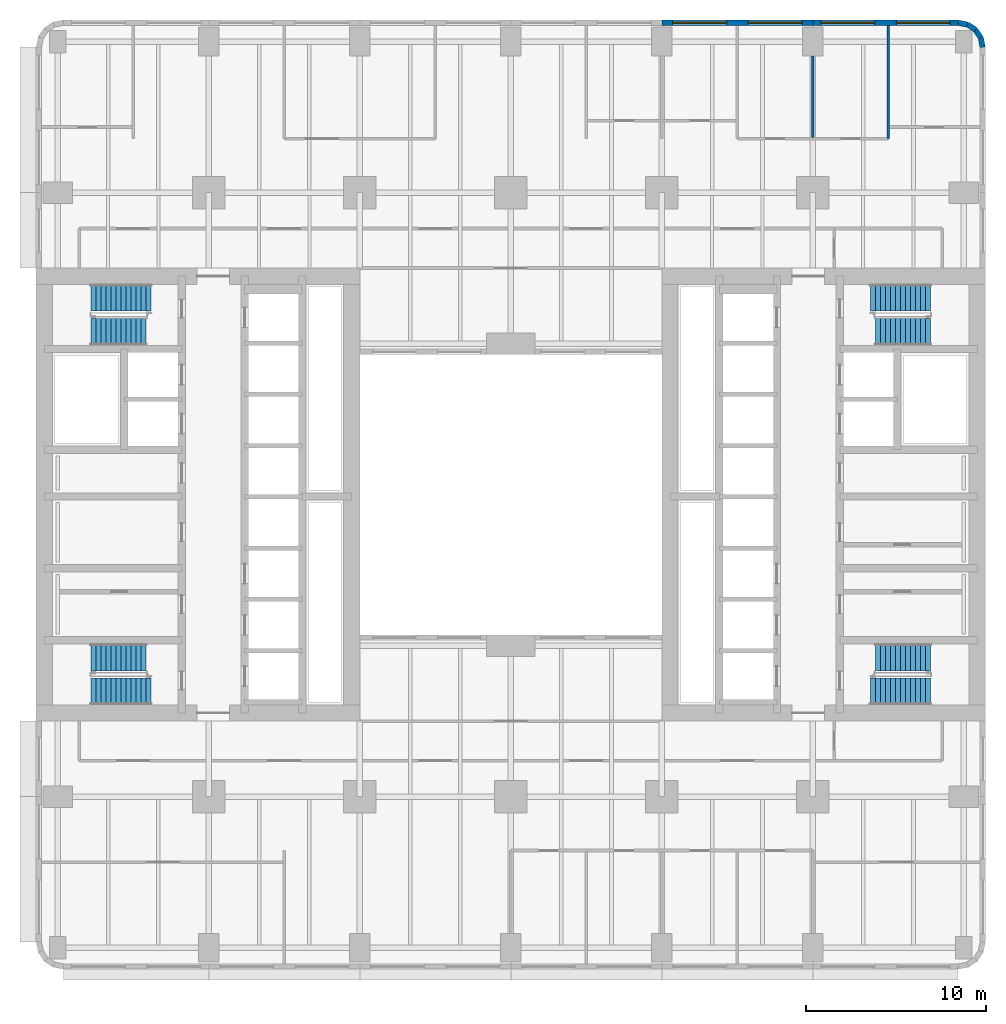
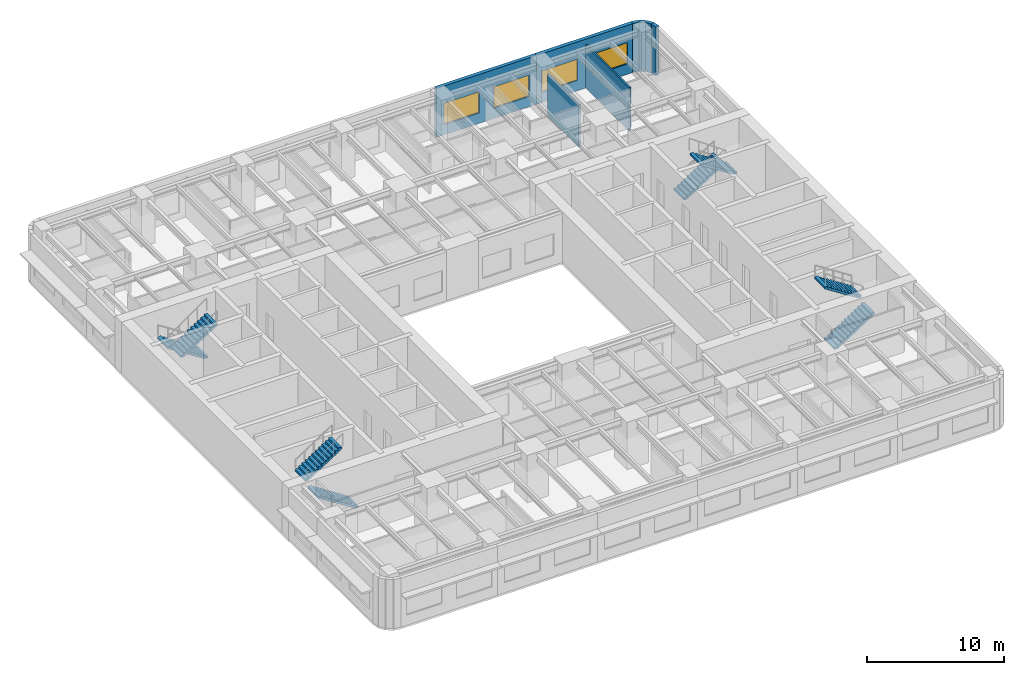
# One storey, part 8 of 14: 8 stair flights, 8 walls, 4 windows, 4 openings, 4 elements without a shape of their own.
"""IFC4 building model written with IfcOpenShell, lengths in metres."""

from ifc_helpers import new_model, si_unit, direction, frame, frame_2d, origin, place, context, subcontext, project, spatial, polyline, rectangle, outline, extrude, material, layer, layer_set, type_object, element, fill, aggregate, save


model = new_model("IFC4")

# Units and contexts
model_context = context("Model", 3, precision=1e-05, world=origin(), true_north=direction((0.0, 1.0)))
body_context = subcontext(model_context, "Body", "Model", "MODEL_VIEW")
ifc_project = project(units=[si_unit("LENGTHUNIT", "METRE"), si_unit("AREAUNIT", "SQUARE_METRE"), si_unit("VOLUMEUNIT", "CUBIC_METRE"), si_unit("PLANEANGLEUNIT", "RADIAN"), si_unit("MASSUNIT", "GRAM", prefix="KILO")], contexts=[model_context])

# Site, building, storey
site_placement = place(None, origin())
site = spatial("IfcSite", under=ifc_project, at=site_placement, CompositionType="ELEMENT")
building_placement = place(site_placement, origin())
building = spatial("IfcBuilding", under=site, at=building_placement, Name="Claustro Exchange Tower", CompositionType="ELEMENT")
storey_placement = place(building_placement, frame((0.0, 0.0, 36.89990234375)))
storey = spatial("IfcBuildingStorey", under=building, at=storey_placement, Name="L08", CompositionType="ELEMENT", Elevation=36.89990234375)

# Walls
ifc_material_1 = material(Name="Gypsum board on steel studs", Category="steel")
ifc_layer_1 = layer(ifc_material_1, 0.14990234375)
ifc_layer_set_1 = layer_set([ifc_layer_1], Name="Gypsum board on steel studs")
wall_type_1 = type_object("IfcWallType", Name="P1 150 plasterboard partition", PredefinedType="PARTITIONING", material=ifc_layer_set_1)
wall_1_placement = place(storey_placement, frame((42.0, 45.073974609375, 0.0), z_axis=(0.0, 0.0, 1.0), x_axis=(0.0, 1.0, 0.0)))
element("IfcWall", 1, at=wall_1_placement, inside=storey, type_object=wall_type_1, Name="Partition P1 L08", PredefinedType="PARTITIONING", context=body_context, shape_type="SweptSolid", body=[
    extrude(rectangle(XDim=4.527099609375, YDim=0.14990234375, at=frame_2d((2.263671875, 0.0))), origin(), (0.0, 0.0, 1.0), 3.739990234375),
])
wall_2_placement = place(storey_placement, frame((46.199951171875, 45.0, 0.0), z_axis=(0.0, 0.0, 1.0), x_axis=(0.0, 1.0, 0.0)))
element("IfcWall", 2, at=wall_2_placement, inside=storey, type_object=wall_type_1, Name="Partition P1 L08", PredefinedType="PARTITIONING", context=body_context, shape_type="SweptSolid", body=[
    extrude(rectangle(XDim=6.302001953125, YDim=0.14990234375, at=frame_2d((3.15087890625, 0.0))), origin(), (0.0, 0.0, 1.0), 3.840087890625),
])

# Wall, openings, windows
ifc_material_2 = material(Name="Concrete HA-40 (C40/50), precast, white cement, acid-etched", Category="concrete")
ifc_layer_2 = layer(ifc_material_2, 0.300048828125)
ifc_layer_set_2 = layer_set([ifc_layer_2], Name="Concrete HA-40 (C40/50), precast, white cement, acid-etched")
wall_type_2 = type_object("IfcWallType", Name="PC1 300 precast concrete pier panel", PredefinedType="SOLIDWALL", material=ifc_layer_set_2)
wall_3_placement = place(storey_placement, frame((33.60009765625, 51.449951171875, 0.0), z_axis=(0.0, 0.0, 1.0), x_axis=(1.0, 0.0, 0.0)))
wall_3 = element("IfcWall", 3, at=wall_3_placement, inside=storey, type_object=wall_type_2, Name="Precast pier panel PC1 L08", PredefinedType="SOLIDWALL", context=body_context, shape_type="SweptSolid", body=[
    extrude(rectangle(XDim=8.39990234375, YDim=0.300048828125, at=frame_2d((4.199951171875, 0.0))), origin(), (0.0, 0.0, 1.0), 4.340087890625),
])
opening_1_placement = place(wall_3_placement, frame((0.60009765625, 0.0, 0.89990234375)))
opening_1 = element("IfcOpeningElement", 4, at=opening_1_placement, cuts=wall_3, Name="Opening W1", PredefinedType="OPENING", context=body_context, shape_type="SweptSolid", body=[
    extrude(rectangle(XDim=3.0, YDim=1.89990234375, at=frame_2d((1.5, 0.949951171875))), frame((0.0, 0.159912109375, 0.0), z_axis=(0.0, -1.0, 0.0), x_axis=(1.0, 0.0, 0.0)), (0.0, 0.0, 1.0), 0.320068359375),
])
opening_2_placement = place(wall_3_placement, frame((4.800048828125, 0.0, 0.89990234375)))
opening_2 = element("IfcOpeningElement", 5, at=opening_2_placement, cuts=wall_3, Name="Opening W1", PredefinedType="OPENING", context=body_context, shape_type="SweptSolid", body=[
    extrude(rectangle(XDim=3.0, YDim=1.89990234375, at=frame_2d((1.5, 0.949951171875))), frame((0.0, 0.159912109375, 0.0), z_axis=(0.0, -1.0, 0.0), x_axis=(1.0, 0.0, 0.0)), (0.0, 0.0, 1.0), 0.320068359375),
])
ifc_material_3 = material(Name="Aluminium frame, clear double glazing", Category="aluminium")
window_type = type_object("IfcWindowType", Name="W1 3000 x 1900 window", PartitioningType="SINGLE_PANEL", PredefinedType="WINDOW", material=ifc_material_3)
window_1_placement = place(opening_1_placement, origin())
window_1 = element("IfcWindow", 6, at=window_1_placement, inside=storey, type_object=window_type, Name="Window W1 L08", OverallHeight=1.89990234375, OverallWidth=3.0, PartitioningType="SINGLE_PANEL", PredefinedType="WINDOW", context=body_context, shape_type="SweptSolid", body=[
    extrude(rectangle(XDim=3.0, YDim=1.89990234375, at=frame_2d((1.5, 0.949951171875))), frame((0.0, 0.030029296875, 0.0), z_axis=(0.0, -1.0, 0.0), x_axis=(1.0, 0.0, 0.0)), (0.0, 0.0, 1.0), 0.06005859375),
])
fill(opening_1, window_1)
window_2_placement = place(opening_2_placement, origin())
window_2 = element("IfcWindow", 7, at=window_2_placement, inside=storey, type_object=window_type, Name="Window W1 L08", OverallHeight=1.89990234375, OverallWidth=3.0, PartitioningType="SINGLE_PANEL", PredefinedType="WINDOW", context=body_context, shape_type="SweptSolid", body=[
    extrude(rectangle(XDim=3.0, YDim=1.89990234375, at=frame_2d((1.5, 0.949951171875))), frame((0.0, 0.030029296875, 0.0), z_axis=(0.0, -1.0, 0.0), x_axis=(1.0, 0.0, 0.0)), (0.0, 0.0, 1.0), 0.06005859375),
])
fill(opening_2, window_2)

wall_4_placement = place(storey_placement, frame((42.0, 51.449951171875, 0.0), z_axis=(0.0, 0.0, 1.0), x_axis=(1.0, 0.0, 0.0)))
wall_4 = element("IfcWall", 8, at=wall_4_placement, inside=storey, type_object=wall_type_2, Name="Precast pier panel PC1 L08", PredefinedType="SOLIDWALL", context=body_context, shape_type="SweptSolid", body=[
    extrude(rectangle(XDim=8.085205078125, YDim=0.300048828125, at=frame_2d((4.04248046875, 0.0))), origin(), (0.0, 0.0, 1.0), 4.340087890625),
])
opening_3_placement = place(wall_4_placement, frame((0.442626953125, 0.0, 0.89990234375)))
opening_3 = element("IfcOpeningElement", 9, at=opening_3_placement, cuts=wall_4, Name="Opening W1", PredefinedType="OPENING", context=body_context, shape_type="SweptSolid", body=[
    extrude(rectangle(XDim=3.0, YDim=1.89990234375, at=frame_2d((1.5, 0.949951171875))), frame((0.0, 0.159912109375, 0.0), z_axis=(0.0, -1.0, 0.0), x_axis=(1.0, 0.0, 0.0)), (0.0, 0.0, 1.0), 0.320068359375),
])
opening_4_placement = place(wall_4_placement, frame((4.642578125, 0.0, 0.89990234375)))
opening_4 = element("IfcOpeningElement", 10, at=opening_4_placement, cuts=wall_4, Name="Opening W1", PredefinedType="OPENING", context=body_context, shape_type="SweptSolid", body=[
    extrude(rectangle(XDim=3.0, YDim=1.89990234375, at=frame_2d((1.5, 0.949951171875))), frame((0.0, 0.159912109375, 0.0), z_axis=(0.0, -1.0, 0.0), x_axis=(1.0, 0.0, 0.0)), (0.0, 0.0, 1.0), 0.320068359375),
])
window_3_placement = place(opening_3_placement, origin())
window_3 = element("IfcWindow", 11, at=window_3_placement, inside=storey, type_object=window_type, Name="Window W1 L08", OverallHeight=1.89990234375, OverallWidth=3.0, PartitioningType="SINGLE_PANEL", PredefinedType="WINDOW", context=body_context, shape_type="SweptSolid", body=[
    extrude(rectangle(XDim=3.0, YDim=1.89990234375, at=frame_2d((1.5, 0.949951171875))), frame((0.0, 0.030029296875, 0.0), z_axis=(0.0, -1.0, 0.0), x_axis=(1.0, 0.0, 0.0)), (0.0, 0.0, 1.0), 0.06005859375),
])
fill(opening_3, window_3)
window_4_placement = place(opening_4_placement, origin())
window_4 = element("IfcWindow", 12, at=window_4_placement, inside=storey, type_object=window_type, Name="Window W1 L08", OverallHeight=1.89990234375, OverallWidth=3.0, PartitioningType="SINGLE_PANEL", PredefinedType="WINDOW", context=body_context, shape_type="SweptSolid", body=[
    extrude(rectangle(XDim=3.0, YDim=1.89990234375, at=frame_2d((1.5, 0.949951171875))), frame((0.0, 0.030029296875, 0.0), z_axis=(0.0, -1.0, 0.0), x_axis=(1.0, 0.0, 0.0)), (0.0, 0.0, 1.0), 0.06005859375),
])
fill(opening_4, window_4)

# Walls
wall_5_placement = place(storey_placement, frame((50.085205078125, 51.449951171875, 0.0), z_axis=(0.0, 0.0, 1.0), x_axis=(0.980788534345, -0.195073962632, 0.0)))
element("IfcWall", 13, at=wall_5_placement, inside=storey, type_object=wall_type_2, Name="Precast pier panel PC1 L08", PredefinedType="SOLIDWALL", context=body_context, shape_type="SweptSolid", body=[
    extrude(rectangle(XDim=0.540771484375, YDim=0.300048828125, at=frame_2d((0.2705078125, 0.0))), origin(), (0.0, 0.0, 1.0), 4.340087890625),
])
for number, where, z_axis, x_axis, name in (
    (14, (50.615478515625, 51.344482421875, 0.0), (0.0, 0.0, 1.0), (0.831478144188, -0.555557463938, 0.0), "Precast pier panel PC1 L08"),
    (15, (51.052490234375, 51.052490234375, 0.0), (0.0, 0.0, 1.0), (0.555557463938, -0.831478144188, 0.0), "Precast pier panel PC1 L08"),
):
    element("IfcWall", number, at=place(storey_placement, frame(where, z_axis=z_axis, x_axis=x_axis)), inside=storey, type_object=wall_type_2, Name=name, PredefinedType="SOLIDWALL", context=body_context, shape_type="SweptSolid", body=[
        extrude(rectangle(XDim=0.525634765625, YDim=0.300048828125, at=frame_2d((0.2626953125, 0.0))), origin(), (0.0, 0.0, 1.0), 4.340087890625),
    ])
wall_6_placement = place(storey_placement, frame((51.344482421875, 50.615478515625, 0.0), z_axis=(0.0, 0.0, 1.0), x_axis=(0.195073962632, -0.980788534345, 0.0)))
element("IfcWall", 16, at=wall_6_placement, inside=storey, type_object=wall_type_2, Name="Precast pier panel PC1 L08", PredefinedType="SOLIDWALL", context=body_context, shape_type="SweptSolid", body=[
    extrude(rectangle(XDim=0.540771484375, YDim=0.300048828125, at=frame_2d((0.2705078125, 0.0))), origin(), (0.0, 0.0, 1.0), 4.340087890625),
])

# Stair, stair flight
ifc_material_4 = material(Name="Concrete HA-30 (C30/37), precast", Category="concrete")
stair_type = type_object("IfcStairType", Name="ST2 half-turn stair, 25 risers of 180", PredefinedType="HALF_TURN_STAIR", material=ifc_material_4)
stair_1_placement = place(storey_placement, origin())
stair_1 = element("IfcStair", 17, at=stair_1_placement, inside=storey, type_object=stair_type, Name="Stair STWA L08", PredefinedType="HALF_TURN_STAIR")
ifc_material_5 = material(Name="Concrete HA-30 (C30/37), precast", Category="concrete")
stair_flight_type_1 = type_object("IfcStairFlightType", Name="SF12B straight flight, 12 risers of 180, 1500 wide", PredefinedType="STRAIGHT", material=ifc_material_5)
stair_flight_1_placement = place(storey_placement, frame((1.840087890625, 16.14990234375, 2.340087890625), z_axis=(0.0, 0.0, 1.0), x_axis=(1.0, 0.0, 0.0)))
stair_flight_1 = element("IfcStairFlight", 18, at=stair_flight_1_placement, type_object=stair_flight_type_1, Name="STWA flight 2", NumberOfRisers=12, NumberOfTreads=11, PredefinedType="STRAIGHT", RiserHeight=0.18, TreadLength=0.28, context=body_context, shape_type="SweptSolid", body=[
    extrude(outline(polyline([(0.0, 0.0), (0.0, 0.179931640625), (0.280029296875, 0.179931640625), (0.280029296875, 0.360107421875), (0.56005859375, 0.360107421875), (0.56005859375, 0.5400390625), (0.840087890625, 0.5400390625), (0.840087890625, 0.719970703125), (1.1201171875, 0.719970703125), (1.1201171875, 0.89990234375), (1.39990234375, 0.89990234375), (1.39990234375, 1.080078125), (1.679931640625, 1.080078125), (1.679931640625, 1.260009765625), (1.9599609375, 1.260009765625), (1.9599609375, 1.43994140625), (2.239990234375, 1.43994140625), (2.239990234375, 1.6201171875), (2.52001953125, 1.6201171875), (2.52001953125, 1.800048828125), (2.800048828125, 1.800048828125), (2.800048828125, 1.97998046875), (3.080078125, 1.97998046875), (3.080078125, 2.159912109375), (3.080078125, 1.8017578125), (0.277099609375, 0.0), (0.0, 0.0)])), frame((0.0, 0.75, 0.0), z_axis=(0.0, -1.0, 0.0), x_axis=(1.0, 0.0, 0.0)), (0.0, 0.0, 1.0), 1.5),
])

stair_2_placement = place(storey_placement, origin())
stair_2 = element("IfcStair", 19, at=stair_2_placement, inside=storey, type_object=stair_type, Name="Stair STWB L08", PredefinedType="HALF_TURN_STAIR")
stair_flight_2_placement = place(storey_placement, frame((1.840087890625, 34.25, 2.340087890625), z_axis=(0.0, 0.0, 1.0), x_axis=(1.0, 0.0, 0.0)))
stair_flight_2 = element("IfcStairFlight", 20, at=stair_flight_2_placement, type_object=stair_flight_type_1, Name="STWB flight 2", NumberOfRisers=12, NumberOfTreads=11, PredefinedType="STRAIGHT", RiserHeight=0.18, TreadLength=0.28, context=body_context, shape_type="SweptSolid", body=[
    extrude(outline(polyline([(0.0, 0.0), (0.0, 0.179931640625), (0.280029296875, 0.179931640625), (0.280029296875, 0.360107421875), (0.56005859375, 0.360107421875), (0.56005859375, 0.5400390625), (0.840087890625, 0.5400390625), (0.840087890625, 0.719970703125), (1.1201171875, 0.719970703125), (1.1201171875, 0.89990234375), (1.39990234375, 0.89990234375), (1.39990234375, 1.080078125), (1.679931640625, 1.080078125), (1.679931640625, 1.260009765625), (1.9599609375, 1.260009765625), (1.9599609375, 1.43994140625), (2.239990234375, 1.43994140625), (2.239990234375, 1.6201171875), (2.52001953125, 1.6201171875), (2.52001953125, 1.800048828125), (2.800048828125, 1.800048828125), (2.800048828125, 1.97998046875), (3.080078125, 1.97998046875), (3.080078125, 2.159912109375), (3.080078125, 1.8017578125), (0.277099609375, 0.0), (0.0, 0.0)])), frame((0.0, 0.75, 0.0), z_axis=(0.0, -1.0, 0.0), x_axis=(1.0, 0.0, 0.0)), (0.0, 0.0, 1.0), 1.5),
])

stair_3_placement = place(storey_placement, origin())
stair_3 = element("IfcStair", 21, at=stair_3_placement, inside=storey, type_object=stair_type, Name="Stair STEA L08", PredefinedType="HALF_TURN_STAIR")
stair_flight_3_placement = place(storey_placement, frame((48.56005859375, 16.14990234375, 2.340087890625), z_axis=(0.0, 0.0, 1.0), x_axis=(-1.0, 0.0, 0.0)))
stair_flight_3 = element("IfcStairFlight", 22, at=stair_flight_3_placement, type_object=stair_flight_type_1, Name="STEA flight 2", NumberOfRisers=12, NumberOfTreads=11, PredefinedType="STRAIGHT", RiserHeight=0.18, TreadLength=0.28, context=body_context, shape_type="SweptSolid", body=[
    extrude(outline(polyline([(0.0, 0.0), (0.0, 0.179931640625), (0.280029296875, 0.179931640625), (0.280029296875, 0.360107421875), (0.56005859375, 0.360107421875), (0.56005859375, 0.5400390625), (0.840087890625, 0.5400390625), (0.840087890625, 0.719970703125), (1.1201171875, 0.719970703125), (1.1201171875, 0.89990234375), (1.39990234375, 0.89990234375), (1.39990234375, 1.080078125), (1.679931640625, 1.080078125), (1.679931640625, 1.260009765625), (1.9599609375, 1.260009765625), (1.9599609375, 1.43994140625), (2.239990234375, 1.43994140625), (2.239990234375, 1.6201171875), (2.52001953125, 1.6201171875), (2.52001953125, 1.800048828125), (2.800048828125, 1.800048828125), (2.800048828125, 1.97998046875), (3.080078125, 1.97998046875), (3.080078125, 2.159912109375), (3.080078125, 1.8017578125), (0.277099609375, 0.0), (0.0, 0.0)])), frame((0.0, 0.75, 0.0), z_axis=(0.0, -1.0, 0.0), x_axis=(1.0, 0.0, 0.0)), (0.0, 0.0, 1.0), 1.5),
])

stair_4_placement = place(storey_placement, origin())
stair_4 = element("IfcStair", 23, at=stair_4_placement, inside=storey, type_object=stair_type, Name="Stair STEB L08", PredefinedType="HALF_TURN_STAIR")
stair_flight_4_placement = place(storey_placement, frame((48.56005859375, 34.25, 2.340087890625), z_axis=(0.0, 0.0, 1.0), x_axis=(-1.0, 0.0, 0.0)))
stair_flight_4 = element("IfcStairFlight", 24, at=stair_flight_4_placement, type_object=stair_flight_type_1, Name="STEB flight 2", NumberOfRisers=12, NumberOfTreads=11, PredefinedType="STRAIGHT", RiserHeight=0.18, TreadLength=0.28, context=body_context, shape_type="SweptSolid", body=[
    extrude(outline(polyline([(0.0, 0.0), (0.0, 0.179931640625), (0.280029296875, 0.179931640625), (0.280029296875, 0.360107421875), (0.56005859375, 0.360107421875), (0.56005859375, 0.5400390625), (0.840087890625, 0.5400390625), (0.840087890625, 0.719970703125), (1.1201171875, 0.719970703125), (1.1201171875, 0.89990234375), (1.39990234375, 0.89990234375), (1.39990234375, 1.080078125), (1.679931640625, 1.080078125), (1.679931640625, 1.260009765625), (1.9599609375, 1.260009765625), (1.9599609375, 1.43994140625), (2.239990234375, 1.43994140625), (2.239990234375, 1.6201171875), (2.52001953125, 1.6201171875), (2.52001953125, 1.800048828125), (2.800048828125, 1.800048828125), (2.800048828125, 1.97998046875), (3.080078125, 1.97998046875), (3.080078125, 2.159912109375), (3.080078125, 1.8017578125), (0.277099609375, 0.0), (0.0, 0.0)])), frame((0.0, 0.75, 0.0), z_axis=(0.0, -1.0, 0.0), x_axis=(1.0, 0.0, 0.0)), (0.0, 0.0, 1.0), 1.5),
])

# Stair flight
ifc_material_6 = material(Name="Concrete HA-30 (C30/37), precast", Category="concrete")
stair_flight_type_2 = type_object("IfcStairFlightType", Name="SF13 straight flight, 13 risers of 180, 1500 wide", PredefinedType="STRAIGHT", material=ifc_material_6)
stair_flight_5_placement = place(storey_placement, frame((5.199951171875, 14.25, 0.0), z_axis=(0.0, 0.0, 1.0), x_axis=(-1.0, 0.0, 0.0)))
stair_flight_5 = element("IfcStairFlight", 25, at=stair_flight_5_placement, type_object=stair_flight_type_2, Name="STWA flight 1", NumberOfRisers=13, NumberOfTreads=12, PredefinedType="STRAIGHT", RiserHeight=0.18, TreadLength=0.28, context=body_context, shape_type="SweptSolid", body=[
    extrude(outline(polyline([(0.0, 0.0), (0.0, 0.179931640625), (0.280029296875, 0.179931640625), (0.280029296875, 0.360107421875), (0.56005859375, 0.360107421875), (0.56005859375, 0.5400390625), (0.840087890625, 0.5400390625), (0.840087890625, 0.719970703125), (1.1201171875, 0.719970703125), (1.1201171875, 0.89990234375), (1.39990234375, 0.89990234375), (1.39990234375, 1.080078125), (1.679931640625, 1.080078125), (1.679931640625, 1.260009765625), (1.9599609375, 1.260009765625), (1.9599609375, 1.43994140625), (2.239990234375, 1.43994140625), (2.239990234375, 1.6201171875), (2.52001953125, 1.6201171875), (2.52001953125, 1.800048828125), (2.800048828125, 1.800048828125), (2.800048828125, 1.97998046875), (3.080078125, 1.97998046875), (3.080078125, 2.159912109375), (3.360107421875, 2.159912109375), (3.360107421875, 2.340087890625), (3.360107421875, 1.981689453125), (0.277099609375, 0.0), (0.0, 0.0)])), frame((0.0, 0.75, 0.0), z_axis=(0.0, -1.0, 0.0), x_axis=(1.0, 0.0, 0.0)), (0.0, 0.0, 1.0), 1.5),
])

aggregate(stair_1, [stair_flight_5, stair_flight_1])

stair_flight_6_placement = place(storey_placement, frame((5.199951171875, 36.14990234375, 0.0), z_axis=(0.0, 0.0, 1.0), x_axis=(-1.0, 0.0, 0.0)))
stair_flight_6 = element("IfcStairFlight", 26, at=stair_flight_6_placement, type_object=stair_flight_type_2, Name="STWB flight 1", NumberOfRisers=13, NumberOfTreads=12, PredefinedType="STRAIGHT", RiserHeight=0.18, TreadLength=0.28, context=body_context, shape_type="SweptSolid", body=[
    extrude(outline(polyline([(0.0, 0.0), (0.0, 0.179931640625), (0.280029296875, 0.179931640625), (0.280029296875, 0.360107421875), (0.56005859375, 0.360107421875), (0.56005859375, 0.5400390625), (0.840087890625, 0.5400390625), (0.840087890625, 0.719970703125), (1.1201171875, 0.719970703125), (1.1201171875, 0.89990234375), (1.39990234375, 0.89990234375), (1.39990234375, 1.080078125), (1.679931640625, 1.080078125), (1.679931640625, 1.260009765625), (1.9599609375, 1.260009765625), (1.9599609375, 1.43994140625), (2.239990234375, 1.43994140625), (2.239990234375, 1.6201171875), (2.52001953125, 1.6201171875), (2.52001953125, 1.800048828125), (2.800048828125, 1.800048828125), (2.800048828125, 1.97998046875), (3.080078125, 1.97998046875), (3.080078125, 2.159912109375), (3.360107421875, 2.159912109375), (3.360107421875, 2.340087890625), (3.360107421875, 1.981689453125), (0.277099609375, 0.0), (0.0, 0.0)])), frame((0.0, 0.75, 0.0), z_axis=(0.0, -1.0, 0.0), x_axis=(1.0, 0.0, 0.0)), (0.0, 0.0, 1.0), 1.5),
])

aggregate(stair_2, [stair_flight_6, stair_flight_2])

stair_flight_7_placement = place(storey_placement, frame((45.199951171875, 14.25, 0.0), z_axis=(0.0, 0.0, 1.0), x_axis=(1.0, 0.0, 0.0)))
stair_flight_7 = element("IfcStairFlight", 27, at=stair_flight_7_placement, type_object=stair_flight_type_2, Name="STEA flight 1", NumberOfRisers=13, NumberOfTreads=12, PredefinedType="STRAIGHT", RiserHeight=0.18, TreadLength=0.28, context=body_context, shape_type="SweptSolid", body=[
    extrude(outline(polyline([(0.0, 0.0), (0.0, 0.179931640625), (0.280029296875, 0.179931640625), (0.280029296875, 0.360107421875), (0.56005859375, 0.360107421875), (0.56005859375, 0.5400390625), (0.840087890625, 0.5400390625), (0.840087890625, 0.719970703125), (1.1201171875, 0.719970703125), (1.1201171875, 0.89990234375), (1.39990234375, 0.89990234375), (1.39990234375, 1.080078125), (1.679931640625, 1.080078125), (1.679931640625, 1.260009765625), (1.9599609375, 1.260009765625), (1.9599609375, 1.43994140625), (2.239990234375, 1.43994140625), (2.239990234375, 1.6201171875), (2.52001953125, 1.6201171875), (2.52001953125, 1.800048828125), (2.800048828125, 1.800048828125), (2.800048828125, 1.97998046875), (3.080078125, 1.97998046875), (3.080078125, 2.159912109375), (3.360107421875, 2.159912109375), (3.360107421875, 2.340087890625), (3.360107421875, 1.981689453125), (0.277099609375, 0.0), (0.0, 0.0)])), frame((0.0, 0.75, 0.0), z_axis=(0.0, -1.0, 0.0), x_axis=(1.0, 0.0, 0.0)), (0.0, 0.0, 1.0), 1.5),
])

aggregate(stair_3, [stair_flight_7, stair_flight_3])

stair_flight_8_placement = place(storey_placement, frame((45.199951171875, 36.14990234375, 0.0), z_axis=(0.0, 0.0, 1.0), x_axis=(1.0, 0.0, 0.0)))
stair_flight_8 = element("IfcStairFlight", 28, at=stair_flight_8_placement, type_object=stair_flight_type_2, Name="STEB flight 1", NumberOfRisers=13, NumberOfTreads=12, PredefinedType="STRAIGHT", RiserHeight=0.18, TreadLength=0.28, context=body_context, shape_type="SweptSolid", body=[
    extrude(outline(polyline([(0.0, 0.0), (0.0, 0.179931640625), (0.280029296875, 0.179931640625), (0.280029296875, 0.360107421875), (0.56005859375, 0.360107421875), (0.56005859375, 0.5400390625), (0.840087890625, 0.5400390625), (0.840087890625, 0.719970703125), (1.1201171875, 0.719970703125), (1.1201171875, 0.89990234375), (1.39990234375, 0.89990234375), (1.39990234375, 1.080078125), (1.679931640625, 1.080078125), (1.679931640625, 1.260009765625), (1.9599609375, 1.260009765625), (1.9599609375, 1.43994140625), (2.239990234375, 1.43994140625), (2.239990234375, 1.6201171875), (2.52001953125, 1.6201171875), (2.52001953125, 1.800048828125), (2.800048828125, 1.800048828125), (2.800048828125, 1.97998046875), (3.080078125, 1.97998046875), (3.080078125, 2.159912109375), (3.360107421875, 2.159912109375), (3.360107421875, 2.340087890625), (3.360107421875, 1.981689453125), (0.277099609375, 0.0), (0.0, 0.0)])), frame((0.0, 0.75, 0.0), z_axis=(0.0, -1.0, 0.0), x_axis=(1.0, 0.0, 0.0)), (0.0, 0.0, 1.0), 1.5),
])

aggregate(stair_4, [stair_flight_8, stair_flight_4])

save(model, "model.ifc")
